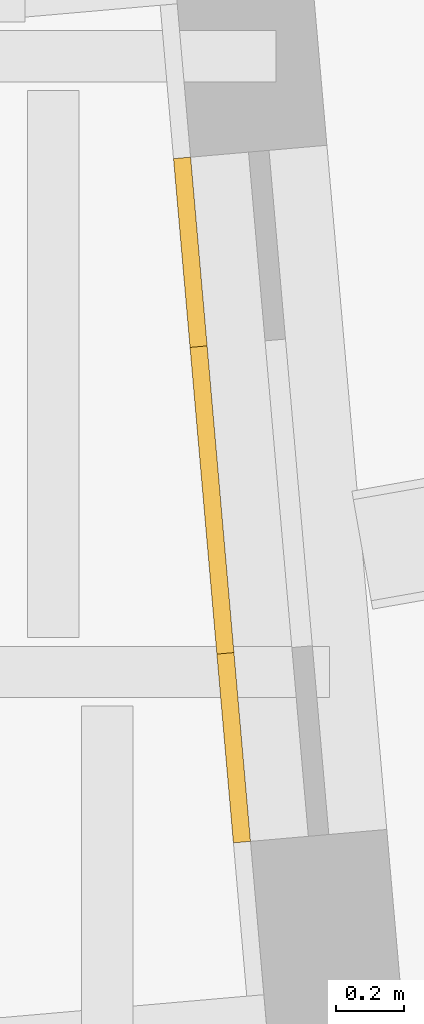
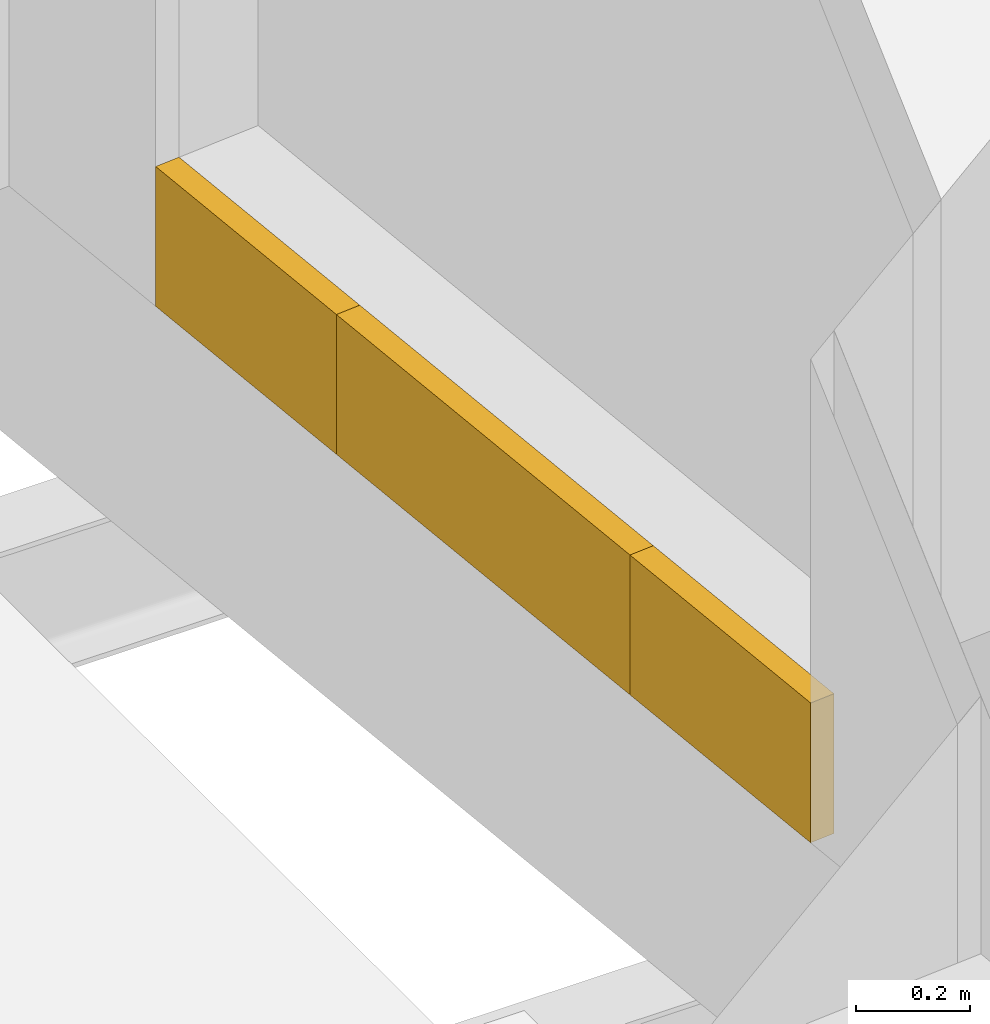
# One storey, part 49 of 50: 3 coverings.
"""IFC4 building model written with IfcOpenShell, lengths in metres."""

from ifc_helpers import new_model, si_unit, direction, frame, origin, place, context, subcontext, project, spatial, polyline, outline, extrude, material, layer, layer_set, type_object, element, save


model = new_model("IFC4")

# Units and contexts
model_context = context("Model", 3, precision=1e-05, world=origin(), true_north=direction((0.0, 1.0)))
body_context = subcontext(model_context, "Body", "Model", "MODEL_VIEW")
ifc_project = project(units=[si_unit("LENGTHUNIT", "METRE"), si_unit("AREAUNIT", "SQUARE_METRE"), si_unit("VOLUMEUNIT", "CUBIC_METRE"), si_unit("PLANEANGLEUNIT", "RADIAN"), si_unit("MASSUNIT", "GRAM", prefix="KILO")], contexts=[model_context])

# Site, building, storey
site_placement = place(None, origin())
site = spatial("IfcSite", under=ifc_project, at=site_placement, CompositionType="ELEMENT")
building_placement = place(site_placement, origin())
building = spatial("IfcBuilding", under=site, at=building_placement, Name="Volute Hill Aquarium", CompositionType="ELEMENT")
storey_placement = place(building_placement, frame((0.0, 0.0, 9.199951171875)))
storey = spatial("IfcBuildingStorey", under=building, at=storey_placement, Name="L03", CompositionType="ELEMENT", Elevation=9.199951171875)

# Coverings
ifc_material = material(Name="Precast concrete C40/50", Category="concrete")
ifc_layer = layer(ifc_material, 0.050048828125)
ifc_layer_set = layer_set([ifc_layer], Name="End wall precast infill panel C40/50 50")
covering_type = type_object("IfcCoveringType", Name="End wall precast infill panel C40/50 50", PredefinedType="CLADDING", material=ifc_layer_set)
covering_1_placement = place(storey_placement, frame((2.032470703125, -26.099609375, 0.60009765625), z_axis=(-0.996184142487, -0.087276309829, 0.0), x_axis=(0.087276309829, -0.996184142487, 0.0)))
element("IfcCovering", 1, at=covering_1_placement, inside=storey, type_object=covering_type, Name="End wall panel EWP S3A L03 2", PredefinedType="CLADDING", context=body_context, shape_type="SweptSolid", body=[
    extrude(outline(polyline([(0.0, 0.0), (0.553871306486046, 0.0), (0.553871306486046, 0.300048828125), (0.0, 0.300048828125), (0.0, 0.0)])), origin(), (0.0, 0.0, -1.0), 0.050048828125),
])
covering_2_placement = place(storey_placement, frame((2.080810546875, -26.6513671875, 0.60009765625), z_axis=(-0.996200781645, -0.087086179441, 0.0), x_axis=(0.087086179441, -0.996200781645, 0.0)))
element("IfcCovering", 2, at=covering_2_placement, inside=storey, type_object=covering_type, Name="End wall panel EWP S3A L03 2", PredefinedType="CLADDING", context=body_context, shape_type="SweptSolid", body=[
    extrude(outline(polyline([(0.0, 0.0), (0.8999033041507525, 0.0), (0.8999033041507525, 0.30004882812500006), (0.0, 0.30004882812500006), (0.0, 0.0)])), origin(), (0.0, 0.0, -1.0), 0.050048828125),
])
covering_3_placement = place(storey_placement, frame((2.1591796875, -27.5478515625, 0.60009765625), z_axis=(-0.996184142487, -0.087276309829, 0.0), x_axis=(0.087276309829, -0.996184142487, 0.0)))
element("IfcCovering", 3, at=covering_3_placement, inside=storey, type_object=covering_type, Name="End wall panel EWP S3A L03 2", PredefinedType="CLADDING", context=body_context, shape_type="SweptSolid", body=[
    extrude(outline(polyline([(0.0, 0.0), (0.553871306486046, 0.0), (0.553871306486046, 0.300048828125), (0.0, 0.300048828125), (0.0, 0.0)])), origin(), (0.0, 0.0, -1.0), 0.050048828125),
])

save(model, "model.ifc")
